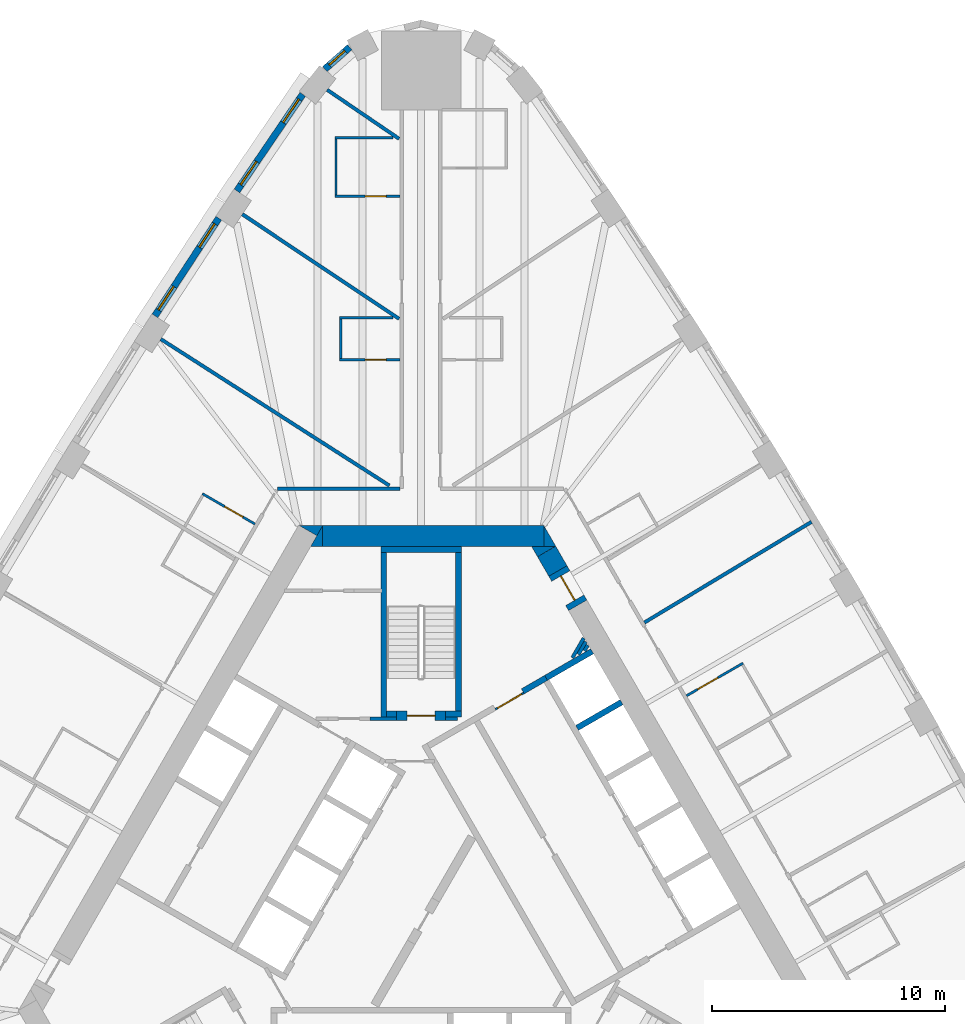
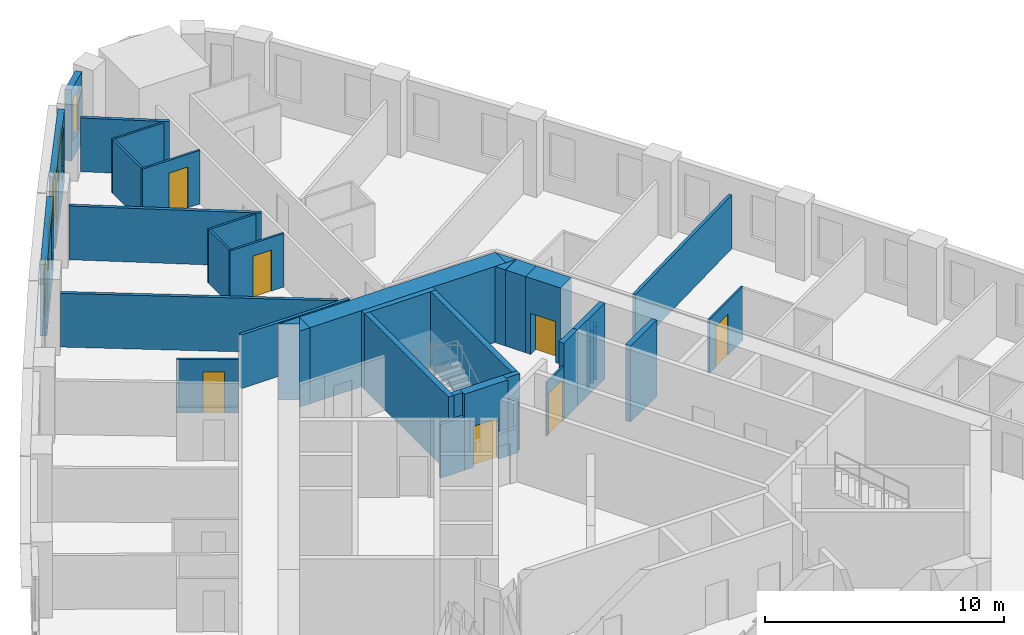
# One storey, part 10 of 13: 38 walls, 7 doors, 5 windows, 12 openings.
"""IFC4 building model written with IfcOpenShell, lengths in metres."""

from ifc_helpers import new_model, si_unit, direction, frame, frame_2d, origin, place, context, subcontext, project, spatial, polyline, rectangle, outline, extrude, material, layer, layer_set, type_object, element, fill, save


model = new_model("IFC4")

# Units and contexts
model_context = context("Model", 3, precision=1e-05, world=origin(), true_north=direction((0.0, 1.0)))
body_context = subcontext(model_context, "Body", "Model", "MODEL_VIEW")
ifc_project = project(units=[si_unit("LENGTHUNIT", "METRE"), si_unit("AREAUNIT", "SQUARE_METRE"), si_unit("VOLUMEUNIT", "CUBIC_METRE"), si_unit("PLANEANGLEUNIT", "RADIAN"), si_unit("MASSUNIT", "GRAM", prefix="KILO")], contexts=[model_context])

# Site, building, storey
site_placement = place(None, origin())
site = spatial("IfcSite", under=ifc_project, at=site_placement, CompositionType="ELEMENT")
building_placement = place(site_placement, origin())
building = spatial("IfcBuilding", under=site, at=building_placement, Name="Mestral Congress Tower", CompositionType="ELEMENT")
storey_placement = place(building_placement, frame((0.0, 0.0, 31.5)))
storey = spatial("IfcBuildingStorey", under=building, at=storey_placement, Name="L06", CompositionType="ELEMENT", Elevation=31.5)

# Walls
ifc_material_1 = material(Name="Fire-rated board partition")
ifc_layer_1 = layer(ifc_material_1, 0.14990234375)
ifc_layer_set_1 = layer_set([ifc_layer_1], Name="Fire-rated board partition")
wall_type_1 = type_object("IfcWallType", Name="Core partition 150", PredefinedType="PARTITIONING", material=ifc_layer_set_1)
wall_1_placement = place(storey_placement, frame((-2.1962890625, 8.62548828125, 0.0), z_axis=(0.0, 0.0, 1.0), x_axis=(1.0, 0.0, 0.0)))
element("IfcWall", 1, at=wall_1_placement, inside=storey, type_object=wall_type_1, Name="L06 core wall", PredefinedType="PARTITIONING", context=body_context, shape_type="SweptSolid", body=[
    extrude(rectangle(XDim=1.146240234375, YDim=0.14990234375, at=frame_2d((0.5732421875, 0.0))), origin(), (0.0, 0.0, 1.0), 2.75),
])
wall_2_placement = place(storey_placement, frame((1.050048828125, 8.62548828125, 0.0), z_axis=(0.0, 0.0, 1.0), x_axis=(1.0, 0.0, 0.0)))
element("IfcWall", 2, at=wall_2_placement, inside=storey, type_object=wall_type_1, Name="L06 core wall", PredefinedType="PARTITIONING", context=body_context, shape_type="SweptSolid", body=[
    extrude(rectangle(XDim=0.513916015625, YDim=0.14990234375, at=frame_2d((0.2568359375, 0.0))), origin(), (0.0, 0.0, 1.0), 2.75),
])
wall_3_placement = place(storey_placement, frame((6.481689453125, 11.224609375, 0.0), z_axis=(0.0, 0.0, 1.0), x_axis=(0.5001061818, 0.865964091014, 0.0)))
element("IfcWall", 3, at=wall_3_placement, inside=storey, type_object=wall_type_1, Name="L06 core wall", PredefinedType="PARTITIONING", context=body_context, shape_type="SweptSolid", body=[
    extrude(rectangle(XDim=0.972900390625, YDim=0.14990234375, at=frame_2d((0.486328125, 0.0))), origin(), (0.0, 0.0, 1.0), 2.75),
])
wall_4_placement = place(storey_placement, frame((6.74169921875, 11.374755859375, 0.0), z_axis=(0.0, 0.0, 1.0), x_axis=(0.499744951064, 0.86617260629, 0.0)))
element("IfcWall", 4, at=wall_4_placement, inside=storey, type_object=wall_type_1, Name="L06 core wall", PredefinedType="PARTITIONING", context=body_context, shape_type="SweptSolid", body=[
    extrude(rectangle(XDim=0.626220703125, YDim=0.14990234375, at=frame_2d((0.31298828125, 0.0))), origin(), (0.0, 0.0, 1.0), 2.75),
])
wall_5_placement = place(storey_placement, frame((7.00146484375, 11.524658203125, 0.0), z_axis=(0.0, 0.0, 1.0), x_axis=(0.499797962495, 0.866142018774, 0.0)))
element("IfcWall", 5, at=wall_5_placement, inside=storey, type_object=wall_type_1, Name="L06 core wall", PredefinedType="PARTITIONING", context=body_context, shape_type="SweptSolid", body=[
    extrude(rectangle(XDim=0.27978515625, YDim=0.14990234375, at=frame_2d((0.139892578125, 0.0))), origin(), (0.0, 0.0, 1.0), 2.75),
])

# Wall, opening, door
ifc_layer_2 = layer(ifc_material_1, 0.090087890625)
ifc_layer_set_2 = layer_set([ifc_layer_2], Name="Fire-rated board partition")
wall_type_2 = type_object("IfcWallType", Name="Core partition 150 door-wall 90", PredefinedType="PARTITIONING", material=ifc_layer_set_2)
wall_6_placement = place(storey_placement, frame((3.182861328125, 9.02001953125, 0.0), z_axis=(0.0, 0.0, 1.0), x_axis=(0.866034573852, 0.49998411664, 0.0)))
wall_6 = element("IfcWall", 6, at=wall_6_placement, inside=storey, type_object=wall_type_2, Name="L06 door wall", PredefinedType="PARTITIONING", context=body_context, shape_type="SweptSolid", body=[
    extrude(rectangle(XDim=1.39990234375, YDim=0.090087890625, at=frame_2d((0.699951171875, 0.0))), origin(), (0.0, 0.0, 1.0), 2.75),
])
opening_1_placement = place(wall_6_placement, frame((0.10009765625, 0.0, 0.0)))
opening_1 = element("IfcOpeningElement", 7, at=opening_1_placement, cuts=wall_6, Name="Opening LB1-WL2", PredefinedType="OPENING", context=body_context, shape_type="SweptSolid", body=[
    extrude(rectangle(XDim=1.199951171875, YDim=2.10009765625, at=frame_2d((0.60009765625, 1.050048828125))), frame((0.0, 0.054931640625, 0.0), z_axis=(0.0, -1.0, 0.0), x_axis=(1.0, 0.0, 0.0)), (0.0, 0.0, 1.0), 0.110107421875),
])
ifc_material_2 = material(Name="Fire-rated steel door set", Category="steel")
door_type_1 = type_object("IfcDoorType", Name="Core door LB 1200x2100", OperationType="SINGLE_SWING_LEFT", PredefinedType="DOOR", material=ifc_material_2)
door_1_placement = place(opening_1_placement, origin())
door_1 = element("IfcDoor", 8, at=door_1_placement, inside=storey, type_object=door_type_1, Name="Door LB1-WL2", OperationType="SINGLE_SWING_LEFT", OverallHeight=2.10009765625, OverallWidth=1.199951171875, PredefinedType="DOOR", context=body_context, shape_type="SweptSolid", body=[
    extrude(rectangle(XDim=1.199951171875, YDim=2.10009765625, at=frame_2d((0.60009765625, 1.050048828125))), frame((0.0, 0.02490234375, 0.0), z_axis=(0.0, -1.0, 0.0), x_axis=(1.0, 0.0, 0.0)), (0.0, 0.0, 1.0), 0.050048828125),
])
fill(opening_1, door_1)

# Walls
ifc_material_3 = material(Name="Concrete C60/75", Category="concrete")
ifc_layer_3 = layer(ifc_material_3, 0.89990234375)
ifc_layer_set_3 = layer_set([ifc_layer_3], Name="Concrete C60/75")
wall_type_3 = type_object("IfcWallType", Name="Core wall RC 900", PredefinedType="SOLIDWALL", material=ifc_layer_set_3)
placement = place(storey_placement, origin())
element("IfcWall", 9, at=placement, inside=storey, type_object=wall_type_3, Name="L06 core wall", PredefinedType="SOLIDWALL", context=body_context, shape_type="SweptSolid", body=[
    extrude(outline(polyline([(-4.214599609375, 16.89990234375), (-4.46875, 16.460205078125), (-5.230712890625, 16.89990234375), (-4.214599609375, 16.89990234375)])), origin(), (0.0, 0.0, 1.0), 3.89990234375),
])
wall_8_placement = place(storey_placement, frame((-4.224365234375, 16.449951171875, 0.0), z_axis=(0.0, 0.0, 1.0), x_axis=(1.0, 0.0, 0.0)))
element("IfcWall", 10, at=wall_8_placement, inside=storey, type_object=wall_type_3, Name="L06 core wall", PredefinedType="SOLIDWALL", context=body_context, shape_type="SweptSolid", body=[
    extrude(rectangle(XDim=9.48779296875, YDim=0.89990234375, at=frame_2d((4.743896484375, 0.0))), origin(), (0.0, 0.0, 1.0), 3.89990234375),
])
element("IfcWall", 11, at=placement, inside=storey, type_object=wall_type_3, Name="L06 core wall", PredefinedType="SOLIDWALL", context=body_context, shape_type="SweptSolid", body=[
    extrude(outline(polyline([(5.265380859375, 16.0), (5.265380859375, 16.8798828125), (5.7734375, 16.0), (5.265380859375, 16.0)])), origin(), (0.0, 0.0, 1.0), 3.89990234375),
])
element("IfcWall", 12, at=placement, inside=storey, type_object=wall_type_3, Name="L06 core wall", PredefinedType="SOLIDWALL", context=body_context, shape_type="SweptSolid", body=[
    extrude(outline(polyline([(-4.734375, 16.0), (-4.226318359375, 16.8798828125), (-4.226318359375, 16.0), (-4.734375, 16.0)])), origin(), (0.0, 0.0, 1.0), 3.89990234375),
])
wall_11_placement = place(storey_placement, frame((5.86083984375, 14.94873046875, 0.0), z_axis=(0.0, 0.0, 1.0), x_axis=(-0.50011719232, 0.865957732194, 0.0)))
element("IfcWall", 13, at=wall_11_placement, inside=storey, type_object=wall_type_3, Name="L06 core wall", PredefinedType="SOLIDWALL", context=body_context, shape_type="SweptSolid", body=[
    extrude(rectangle(XDim=0.963623046875, YDim=0.89990234375, at=frame_2d((0.48193359375, 0.0))), origin(), (0.0, 0.0, 1.0), 3.89990234375),
])
element("IfcWall", 14, at=placement, inside=storey, type_object=wall_type_3, Name="L06 core wall", PredefinedType="SOLIDWALL", context=body_context, shape_type="SweptSolid", body=[
    extrude(outline(polyline([(4.734375, 16.0), (5.75048828125, 16.0), (4.98828125, 15.56005859375), (4.734375, 16.0)])), origin(), (0.0, 0.0, 1.0), 3.89990234375),
])

# Wall, opening, door
wall_13_placement = place(storey_placement, frame((5.86083984375, 14.948486328125, 0.0), z_axis=(0.0, 0.0, 1.0), x_axis=(0.500062241894, -0.865989465428, 0.0)))
wall_13 = element("IfcWall", 15, at=wall_13_placement, inside=storey, type_object=wall_type_3, Name="L06 door wall", PredefinedType="SOLIDWALL", context=body_context, shape_type="SweptSolid", body=[
    extrude(rectangle(XDim=1.699951171875, YDim=0.89990234375, at=frame_2d((0.85009765625, 0.0))), origin(), (0.0, 0.0, 1.0), 3.89990234375),
])
opening_2_placement = place(wall_13_placement, frame((0.25, 0.0, 0.0)))
opening_2 = element("IfcOpeningElement", 16, at=opening_2_placement, cuts=wall_13, Name="Opening XD2", PredefinedType="OPENING", context=body_context, shape_type="SweptSolid", body=[
    extrude(rectangle(XDim=1.199951171875, YDim=2.10009765625, at=frame_2d((0.60009765625, 1.050048828125))), frame((0.0, 0.4599609375, 0.0), z_axis=(0.0, -1.0, 0.0), x_axis=(1.0, 0.0, 0.0)), (0.0, 0.0, 1.0), 0.919921875),
])
door_type_2 = type_object("IfcDoorType", Name="Core door XD 1200x2100", OperationType="SINGLE_SWING_LEFT", PredefinedType="DOOR", material=ifc_material_2)
door_2_placement = place(opening_2_placement, origin())
door_2 = element("IfcDoor", 17, at=door_2_placement, inside=storey, type_object=door_type_2, Name="Door XD2", OperationType="SINGLE_SWING_LEFT", OverallHeight=2.10009765625, OverallWidth=1.199951171875, PredefinedType="DOOR", context=body_context, shape_type="SweptSolid", body=[
    extrude(rectangle(XDim=1.199951171875, YDim=2.10009765625, at=frame_2d((0.60009765625, 1.050048828125))), frame((0.0, 0.02490234375, 0.0), z_axis=(0.0, -1.0, 0.0), x_axis=(1.0, 0.0, 0.0)), (0.0, 0.0, 1.0), 0.050048828125),
])
fill(opening_2, door_2)

# Wall, opening, window
ifc_material_4 = material(Name="Precast concrete C40/50 with limestone facing", Category="masonry")
ifc_layer_4 = layer(ifc_material_4, 0.2900390625)
ifc_layer_set_4 = layer_set([ifc_layer_4], Name="Precast concrete C40/50 with limestone facing")
wall_type_4 = type_object("IfcWallType", Name="Facade stone wall 290", PredefinedType="SOLIDWALL", material=ifc_layer_set_4)
wall_14_placement = place(storey_placement, frame((-3.064453125, 37.395263671875, 0.0), z_axis=(0.0, 0.0, 1.0), x_axis=(-0.749812680302, -0.661650167731, 0.0)))
wall_14 = element("IfcWall", 18, at=wall_14_placement, inside=storey, type_object=wall_type_4, Name="Facade wall K1-3", PredefinedType="SOLIDWALL", context=body_context, shape_type="SweptSolid", body=[
    extrude(rectangle(XDim=1.4150390625, YDim=0.2900390625, at=frame_2d((0.70751953125, 0.0))), origin(), (0.0, 0.0, 1.0), 3.64990234375),
])
opening_3_placement = place(wall_14_placement, frame((0.257568359375, 0.0, 0.89990234375)))
opening_3 = element("IfcOpeningElement", 19, at=opening_3_placement, cuts=wall_14, Name="Opening W3", PredefinedType="OPENING", context=body_context, shape_type="SweptSolid", body=[
    extrude(rectangle(XDim=0.89990234375, YDim=2.14990234375, at=frame_2d((0.449951171875, 1.074951171875))), frame((0.0, 0.155029296875, 0.0), z_axis=(0.0, -1.0, 0.0), x_axis=(1.0, 0.0, 0.0)), (0.0, 0.0, 1.0), 0.31005859375),
])
ifc_material_5 = material(Name="Clear low-emissivity double glazing", Category="glass")
window_type_1 = type_object("IfcWindowType", Name="Facade punched window 900 x 2150 sill 900", PartitioningType="SINGLE_PANEL", PredefinedType="WINDOW", material=ifc_material_5)
window_1_placement = place(opening_3_placement, origin())
window_1 = element("IfcWindow", 20, at=window_1_placement, inside=storey, type_object=window_type_1, Name="Window K1-3", OverallHeight=2.14990234375, OverallWidth=0.89990234375, PartitioningType="SINGLE_PANEL", PredefinedType="WINDOW", context=body_context, shape_type="SweptSolid", body=[
    extrude(rectangle(XDim=0.89990234375, YDim=2.14990234375, at=frame_2d((0.449951171875, 1.074951171875))), frame((0.0, 0.01513671875, 0.0), z_axis=(0.0, -1.0, 0.0), x_axis=(1.0, 0.0, 0.0)), (0.0, 0.0, 1.0), 0.06005859375),
])
fill(opening_3, window_1)

# Wall, openings, windows
wall_15_placement = place(storey_placement, frame((-5.078369140625, 35.37646484375, 0.0), z_axis=(0.0, 0.0, 1.0), x_axis=(-0.562610153679, -0.826722332454, 0.0)))
wall_15 = element("IfcWall", 21, at=wall_15_placement, inside=storey, type_object=wall_type_4, Name="Facade wall F2-00", PredefinedType="SOLIDWALL", context=body_context, shape_type="SweptSolid", body=[
    extrude(rectangle(XDim=5.005615234375, YDim=0.2900390625, at=frame_2d((2.5029296875, 0.0))), origin(), (0.0, 0.0, 1.0), 3.64990234375),
])
opening_4_placement = place(wall_15_placement, frame((0.26513671875, 0.0, 0.89990234375)))
opening_4 = element("IfcOpeningElement", 22, at=opening_4_placement, cuts=wall_15, Name="Opening W1", PredefinedType="OPENING", context=body_context, shape_type="SweptSolid", body=[
    extrude(rectangle(XDim=1.199951171875, YDim=2.14990234375, at=frame_2d((0.60009765625, 1.074951171875))), frame((0.0, 0.155029296875, 0.0), z_axis=(0.0, -1.0, 0.0), x_axis=(1.0, 0.0, 0.0)), (0.0, 0.0, 1.0), 0.31005859375),
])
opening_5_placement = place(wall_15_placement, frame((3.495361328125, 0.0, 0.89990234375)))
opening_5 = element("IfcOpeningElement", 23, at=opening_5_placement, cuts=wall_15, Name="Opening W1", PredefinedType="OPENING", context=body_context, shape_type="SweptSolid", body=[
    extrude(rectangle(XDim=1.199951171875, YDim=2.14990234375, at=frame_2d((0.60009765625, 1.074951171875))), frame((0.0, 0.155029296875, 0.0), z_axis=(0.0, -1.0, 0.0), x_axis=(1.0, 0.0, 0.0)), (0.0, 0.0, 1.0), 0.31005859375),
])
window_type_2 = type_object("IfcWindowType", Name="Facade punched window 1200 x 2150 sill 900", PartitioningType="DOUBLE_PANEL_VERTICAL", PredefinedType="WINDOW", material=ifc_material_5)
window_2_placement = place(opening_4_placement, origin())
window_2 = element("IfcWindow", 24, at=window_2_placement, inside=storey, type_object=window_type_2, Name="Window F2-00a", OverallHeight=2.14990234375, OverallWidth=1.199951171875, PartitioningType="DOUBLE_PANEL_VERTICAL", PredefinedType="WINDOW", context=body_context, shape_type="SweptSolid", body=[
    extrude(rectangle(XDim=1.199951171875, YDim=2.14990234375, at=frame_2d((0.60009765625, 1.074951171875))), frame((0.0, 0.01513671875, 0.0), z_axis=(0.0, -1.0, 0.0), x_axis=(1.0, 0.0, 0.0)), (0.0, 0.0, 1.0), 0.06005859375),
])
fill(opening_4, window_2)
window_3_placement = place(opening_5_placement, origin())
window_3 = element("IfcWindow", 25, at=window_3_placement, inside=storey, type_object=window_type_2, Name="Window F2-00b", OverallHeight=2.14990234375, OverallWidth=1.199951171875, PartitioningType="DOUBLE_PANEL_VERTICAL", PredefinedType="WINDOW", context=body_context, shape_type="SweptSolid", body=[
    extrude(rectangle(XDim=1.199951171875, YDim=2.14990234375, at=frame_2d((0.60009765625, 1.074951171875))), frame((0.0, 0.01513671875, 0.0), z_axis=(0.0, -1.0, 0.0), x_axis=(1.0, 0.0, 0.0)), (0.0, 0.0, 1.0), 0.06005859375),
])
fill(opening_5, window_3)

wall_16_placement = place(storey_placement, frame((-8.675537109375, 30.067626953125, 0.0), z_axis=(0.0, 0.0, 1.0), x_axis=(-0.547204617628, -0.836998868845, 0.0)))
wall_16 = element("IfcWall", 26, at=wall_16_placement, inside=storey, type_object=wall_type_4, Name="Facade wall F2-01", PredefinedType="SOLIDWALL", context=body_context, shape_type="SweptSolid", body=[
    extrude(rectangle(XDim=4.998291015625, YDim=0.2900390625, at=frame_2d((2.4990234375, 0.0))), origin(), (0.0, 0.0, 1.0), 3.64990234375),
])
opening_6_placement = place(wall_16_placement, frame((0.297119140625, 0.0, 0.89990234375)))
opening_6 = element("IfcOpeningElement", 27, at=opening_6_placement, cuts=wall_16, Name="Opening W1", PredefinedType="OPENING", context=body_context, shape_type="SweptSolid", body=[
    extrude(rectangle(XDim=1.199951171875, YDim=2.14990234375, at=frame_2d((0.60009765625, 1.074951171875))), frame((0.0, 0.155029296875, 0.0), z_axis=(0.0, -1.0, 0.0), x_axis=(1.0, 0.0, 0.0)), (0.0, 0.0, 1.0), 0.31005859375),
])
opening_7_placement = place(wall_16_placement, frame((3.501220703125, 0.0, 0.89990234375)))
opening_7 = element("IfcOpeningElement", 28, at=opening_7_placement, cuts=wall_16, Name="Opening W1", PredefinedType="OPENING", context=body_context, shape_type="SweptSolid", body=[
    extrude(rectangle(XDim=1.199951171875, YDim=2.14990234375, at=frame_2d((0.60009765625, 1.074951171875))), frame((0.0, 0.155029296875, 0.0), z_axis=(0.0, -1.0, 0.0), x_axis=(1.0, 0.0, 0.0)), (0.0, 0.0, 1.0), 0.31005859375),
])
window_4_placement = place(opening_6_placement, origin())
window_4 = element("IfcWindow", 29, at=window_4_placement, inside=storey, type_object=window_type_2, Name="Window F2-01a", OverallHeight=2.14990234375, OverallWidth=1.199951171875, PartitioningType="DOUBLE_PANEL_VERTICAL", PredefinedType="WINDOW", context=body_context, shape_type="SweptSolid", body=[
    extrude(rectangle(XDim=1.199951171875, YDim=2.14990234375, at=frame_2d((0.60009765625, 1.074951171875))), frame((0.0, 0.01513671875, 0.0), z_axis=(0.0, -1.0, 0.0), x_axis=(1.0, 0.0, 0.0)), (0.0, 0.0, 1.0), 0.06005859375),
])
fill(opening_6, window_4)
window_5_placement = place(opening_7_placement, origin())
window_5 = element("IfcWindow", 30, at=window_5_placement, inside=storey, type_object=window_type_2, Name="Window F2-01b", OverallHeight=2.14990234375, OverallWidth=1.199951171875, PartitioningType="DOUBLE_PANEL_VERTICAL", PredefinedType="WINDOW", context=body_context, shape_type="SweptSolid", body=[
    extrude(rectangle(XDim=1.199951171875, YDim=2.14990234375, at=frame_2d((0.60009765625, 1.074951171875))), frame((0.0, 0.01513671875, 0.0), z_axis=(0.0, -1.0, 0.0), x_axis=(1.0, 0.0, 0.0)), (0.0, 0.0, 1.0), 0.06005859375),
])
fill(opening_7, window_5)

# Wall, opening, door
ifc_material_6 = material(Name="Gypsum board partition on metal studs with mineral wool", Category="composite")
ifc_layer_5 = layer(ifc_material_6, 0.10009765625)
ifc_layer_set_5 = layer_set([ifc_layer_5], Name="Gypsum board partition on metal studs with mineral wool")
wall_type_5 = type_object("IfcWallType", Name="Hotel partition wall 100", PredefinedType="PARTITIONING", material=ifc_layer_set_5)
wall_17_placement = place(storey_placement, frame((13.79931640625, 10.9990234375, 0.0), z_axis=(0.0, 0.0, 1.0), x_axis=(-0.866034573852, -0.49998411664, 0.0)))
wall_17 = element("IfcWall", 31, at=wall_17_placement, inside=storey, type_object=wall_type_5, Name="L06-h-pod16a", PredefinedType="PARTITIONING", context=body_context, shape_type="SweptSolid", body=[
    extrude(rectangle(XDim=2.7998046875, YDim=0.10009765625, at=frame_2d((1.39990234375, 0.0))), origin(), (0.0, 0.0, 1.0), 2.75),
])
opening_8_placement = place(wall_17_placement, frame((1.25, 0.0, 0.0)))
opening_8 = element("IfcOpeningElement", 32, at=opening_8_placement, cuts=wall_17, Name="Opening H01-031", PredefinedType="OPENING", context=body_context, shape_type="SweptSolid", body=[
    extrude(rectangle(XDim=1.0, YDim=2.10009765625, at=frame_2d((0.5, 1.050048828125))), frame((0.0, 0.06005859375, 0.0), z_axis=(0.0, -1.0, 0.0), x_axis=(1.0, 0.0, 0.0)), (0.0, 0.0, 1.0), 0.1201171875),
])
ifc_material_7 = material(Name="Timber veneer door leaf in timber frame", Category="wood")
door_type_3 = type_object("IfcDoorType", Name="Accessible bathroom door 1000", OperationType="SINGLE_SWING_LEFT", PredefinedType="DOOR", material=ifc_material_7)
door_3_placement = place(opening_8_placement, origin())
door_3 = element("IfcDoor", 33, at=door_3_placement, inside=storey, type_object=door_type_3, Name="L06-h-d031", OperationType="SINGLE_SWING_LEFT", OverallHeight=2.10009765625, OverallWidth=1.0, PredefinedType="DOOR", context=body_context, shape_type="SweptSolid", body=[
    extrude(rectangle(XDim=1.0, YDim=2.10009765625, at=frame_2d((0.5, 1.050048828125))), frame((0.0, 0.02490234375, 0.0), z_axis=(0.0, -1.0, 0.0), x_axis=(1.0, 0.0, 0.0)), (0.0, 0.0, 1.0), 0.050048828125),
])
fill(opening_8, door_3)

wall_18_placement = place(storey_placement, frame((-3.699951171875, 31.008544921875, 0.0), z_axis=(0.0, 0.0, 1.0), x_axis=(1.0, 0.0, 0.0)))
wall_18 = element("IfcWall", 34, at=wall_18_placement, inside=storey, type_object=wall_type_5, Name="L06-h-pod21a", PredefinedType="PARTITIONING", context=body_context, shape_type="SweptSolid", body=[
    extrude(rectangle(XDim=2.800048828125, YDim=0.10009765625, at=frame_2d((1.39990234375, 0.0))), origin(), (0.0, 0.0, 1.0), 2.75),
])
opening_9_placement = place(wall_18_placement, frame((1.300048828125, 0.0, 0.0)))
opening_9 = element("IfcOpeningElement", 35, at=opening_9_placement, cuts=wall_18, Name="Opening H01-040", PredefinedType="OPENING", context=body_context, shape_type="SweptSolid", body=[
    extrude(rectangle(XDim=0.89990234375, YDim=2.10009765625, at=frame_2d((0.449951171875, 1.050048828125))), frame((0.0, 0.06005859375, 0.0), z_axis=(0.0, -1.0, 0.0), x_axis=(1.0, 0.0, 0.0)), (0.0, 0.0, 1.0), 0.1201171875),
])
door_type_4 = type_object("IfcDoorType", Name="Bathroom door 900", OperationType="SINGLE_SWING_LEFT", PredefinedType="DOOR", material=ifc_material_7)
door_4_placement = place(opening_9_placement, origin())
door_4 = element("IfcDoor", 36, at=door_4_placement, inside=storey, type_object=door_type_4, Name="L06-h-d040", OperationType="SINGLE_SWING_RIGHT", OverallHeight=2.10009765625, OverallWidth=0.89990234375, PredefinedType="DOOR", context=body_context, shape_type="SweptSolid", body=[
    extrude(rectangle(XDim=0.89990234375, YDim=2.10009765625, at=frame_2d((0.449951171875, 1.050048828125))), frame((0.0, 0.02490234375, 0.0), z_axis=(0.0, -1.0, 0.0), x_axis=(1.0, 0.0, 0.0)), (0.0, 0.0, 1.0), 0.050048828125),
])
fill(opening_9, door_4)

# Walls
wall_19_placement = place(storey_placement, frame((-3.64990234375, 31.05859375, 0.0), z_axis=(0.0, 0.0, 1.0), x_axis=(0.0, 1.0, 0.0)))
element("IfcWall", 37, at=wall_19_placement, inside=storey, type_object=wall_type_5, Name="L06-h-pod21b", PredefinedType="PARTITIONING", context=body_context, shape_type="SweptSolid", body=[
    extrude(rectangle(XDim=2.39990234375, YDim=0.10009765625, at=frame_2d((1.199951171875, 0.0))), origin(), (0.0, 0.0, 1.0), 2.75),
])
wall_20_placement = place(storey_placement, frame((-1.199951171875, 33.508544921875, 0.0), z_axis=(0.0, 0.0, 1.0), x_axis=(-1.0, 0.0, 0.0)))
element("IfcWall", 38, at=wall_20_placement, inside=storey, type_object=wall_type_5, Name="L06-h-pod21c", PredefinedType="PARTITIONING", context=body_context, shape_type="SweptSolid", body=[
    extrude(rectangle(XDim=2.5, YDim=0.10009765625, at=frame_2d((1.25, 0.0))), origin(), (0.0, 0.0, 1.0), 2.75),
])

# Wall, opening, door
wall_21_placement = place(storey_placement, frame((-3.5, 23.99462890625, 0.0), z_axis=(0.0, 0.0, 1.0), x_axis=(1.0, 0.0, 0.0)))
wall_21 = element("IfcWall", 39, at=wall_21_placement, inside=storey, type_object=wall_type_5, Name="L06-h-pod22a", PredefinedType="PARTITIONING", context=body_context, shape_type="SweptSolid", body=[
    extrude(rectangle(XDim=2.60009765625, YDim=0.10009765625, at=frame_2d((1.300048828125, 0.0))), origin(), (0.0, 0.0, 1.0), 2.75),
])
opening_10_placement = place(wall_21_placement, frame((1.10009765625, 0.0, 0.0)))
opening_10 = element("IfcOpeningElement", 40, at=opening_10_placement, cuts=wall_21, Name="Opening H01-042", PredefinedType="OPENING", context=body_context, shape_type="SweptSolid", body=[
    extrude(rectangle(XDim=0.89990234375, YDim=2.10009765625, at=frame_2d((0.449951171875, 1.050048828125))), frame((0.0, 0.06005859375, 0.0), z_axis=(0.0, -1.0, 0.0), x_axis=(1.0, 0.0, 0.0)), (0.0, 0.0, 1.0), 0.1201171875),
])
door_5_placement = place(opening_10_placement, origin())
door_5 = element("IfcDoor", 41, at=door_5_placement, inside=storey, type_object=door_type_4, Name="L06-h-d042", OperationType="SINGLE_SWING_LEFT", OverallHeight=2.10009765625, OverallWidth=0.89990234375, PredefinedType="DOOR", context=body_context, shape_type="SweptSolid", body=[
    extrude(rectangle(XDim=0.89990234375, YDim=2.10009765625, at=frame_2d((0.449951171875, 1.050048828125))), frame((0.0, 0.02490234375, 0.0), z_axis=(0.0, -1.0, 0.0), x_axis=(1.0, 0.0, 0.0)), (0.0, 0.0, 1.0), 0.050048828125),
])
fill(opening_10, door_5)

# Walls
wall_22_placement = place(storey_placement, frame((-3.449951171875, 24.044677734375, 0.0), z_axis=(0.0, 0.0, 1.0), x_axis=(0.0, 1.0, 0.0)))
element("IfcWall", 42, at=wall_22_placement, inside=storey, type_object=wall_type_5, Name="L06-h-pod22b", PredefinedType="PARTITIONING", context=body_context, shape_type="SweptSolid", body=[
    extrude(rectangle(XDim=1.699951171875, YDim=0.10009765625, at=frame_2d((0.85009765625, 0.0))), origin(), (0.0, 0.0, 1.0), 2.75),
])
wall_23_placement = place(storey_placement, frame((-1.2099609375, 25.794677734375, 0.0), z_axis=(0.0, 0.0, 1.0), x_axis=(-1.0, 0.0, 0.0)))
element("IfcWall", 43, at=wall_23_placement, inside=storey, type_object=wall_type_5, Name="L06-h-pod22c", PredefinedType="PARTITIONING", context=body_context, shape_type="SweptSolid", body=[
    extrude(rectangle(XDim=2.2900390625, YDim=0.10009765625, at=frame_2d((1.14501953125, 0.0))), origin(), (0.0, 0.0, 1.0), 2.75),
])

# Wall, opening, door
wall_24_placement = place(storey_placement, frame((-7.123779296875, 16.961181640625, 0.0), z_axis=(0.0, 0.0, 1.0), x_axis=(-0.866021400173, 0.500006934395, 0.0)))
wall_24 = element("IfcWall", 44, at=wall_24_placement, inside=storey, type_object=wall_type_5, Name="L06-h-pod23a", PredefinedType="PARTITIONING", context=body_context, shape_type="SweptSolid", body=[
    extrude(rectangle(XDim=2.60009765625, YDim=0.10009765625, at=frame_2d((1.300048828125, 0.0))), origin(), (0.0, 0.0, 1.0), 2.75),
])
opening_11_placement = place(wall_24_placement, frame((0.60009765625, 0.0, 0.0)))
opening_11 = element("IfcOpeningElement", 45, at=opening_11_placement, cuts=wall_24, Name="Opening H01-044", PredefinedType="OPENING", context=body_context, shape_type="SweptSolid", body=[
    extrude(rectangle(XDim=0.89990234375, YDim=2.10009765625, at=frame_2d((0.449951171875, 1.050048828125))), frame((0.0, 0.06005859375, 0.0), z_axis=(0.0, -1.0, 0.0), x_axis=(1.0, 0.0, 0.0)), (0.0, 0.0, 1.0), 0.1201171875),
])
door_6_placement = place(opening_11_placement, origin())
door_6 = element("IfcDoor", 46, at=door_6_placement, inside=storey, type_object=door_type_4, Name="L06-h-d044", OperationType="SINGLE_SWING_LEFT", OverallHeight=2.10009765625, OverallWidth=0.89990234375, PredefinedType="DOOR", context=body_context, shape_type="SweptSolid", body=[
    extrude(rectangle(XDim=0.89990234375, YDim=2.10009765625, at=frame_2d((0.449951171875, 1.050048828125))), frame((0.0, 0.02490234375, 0.0), z_axis=(0.0, -1.0, 0.0), x_axis=(1.0, 0.0, 0.0)), (0.0, 0.0, 1.0), 0.050048828125),
])
fill(opening_11, door_6)

# Walls
ifc_layer_6 = layer(ifc_material_6, 0.14990234375)
ifc_layer_set_6 = layer_set([ifc_layer_6], Name="Gypsum board partition on metal studs with mineral wool")
wall_type_6 = type_object("IfcWallType", Name="Hotel partition wall 150", PredefinedType="PARTITIONING", material=ifc_layer_set_6)
wall_25_placement = place(storey_placement, frame((-6.1630859375, 18.47509765625, 0.0), z_axis=(0.0, 0.0, 1.0), x_axis=(1.0, 0.0, 0.0)))
element("IfcWall", 47, at=wall_25_placement, inside=storey, type_object=wall_type_6, Name="L06-h-cw07", PredefinedType="PARTITIONING", context=body_context, shape_type="SweptSolid", body=[
    extrude(rectangle(XDim=5.258056640625, YDim=0.14990234375, at=frame_2d((2.62890625, 0.0))), origin(), (0.0, 0.0, 1.0), 2.75),
])
wall_26_placement = place(storey_placement, frame((-11.16015625, 24.887939453125, 0.0), z_axis=(0.0, 0.0, 1.0), x_axis=(0.84199813156, -0.539480441211, 0.0)))
element("IfcWall", 48, at=wall_26_placement, inside=storey, type_object=wall_type_6, Name="L06-h-pw13", PredefinedType="PARTITIONING", context=body_context, shape_type="SweptSolid", body=[
    extrude(rectangle(XDim=11.63818359375, YDim=0.14990234375, at=frame_2d((5.819091796875, 0.0))), origin(), (0.0, 0.0, 1.0), 2.75),
])
wall_27_placement = place(storey_placement, frame((-7.662353515625, 30.237548828125, 0.0), z_axis=(0.0, 0.0, 1.0), x_axis=(0.831882886825, -0.554951225431, 0.0)))
element("IfcWall", 49, at=wall_27_placement, inside=storey, type_object=wall_type_6, Name="L06-h-pw14", PredefinedType="PARTITIONING", context=body_context, shape_type="SweptSolid", body=[
    extrude(rectangle(XDim=8.078857421875, YDim=0.14990234375, at=frame_2d((4.03955078125, 0.0))), origin(), (0.0, 0.0, 1.0), 2.75),
])
wall_28_placement = place(storey_placement, frame((-4.02783203125, 35.56884765625, 0.0), z_axis=(0.0, 0.0, 1.0), x_axis=(0.826730622998, -0.562597971021, 0.0)))
element("IfcWall", 50, at=wall_28_placement, inside=storey, type_object=wall_type_6, Name="L06-h-pw15", PredefinedType="PARTITIONING", context=body_context, shape_type="SweptSolid", body=[
    extrude(rectangle(XDim=3.7333984375, YDim=0.14990234375, at=frame_2d((1.86669921875, 0.0))), origin(), (0.0, 0.0, 1.0), 2.75),
])
wall_29_placement = place(storey_placement, frame((16.7294921875, 17.051513671875, 0.0), z_axis=(0.0, 0.0, 1.0), x_axis=(-0.856630606266, -0.515930232113, 0.0)))
element("IfcWall", 51, at=wall_29_placement, inside=storey, type_object=wall_type_6, Name="L06-h-pw21", PredefinedType="PARTITIONING", context=body_context, shape_type="SweptSolid", body=[
    extrude(rectangle(XDim=8.35546875, YDim=0.14990234375, at=frame_2d((4.177734375, 0.0))), origin(), (0.0, 0.0, 1.0), 2.75),
])
ifc_layer_7 = layer(ifc_material_3, 0.25)
ifc_layer_set_7 = layer_set([ifc_layer_7], Name="Concrete C60/75")
wall_type_7 = type_object("IfcWallType", Name="Shaft wall RC 250", PredefinedType="SOLIDWALL", material=ifc_layer_set_7)
wall_30_placement = place(storey_placement, frame((4.3583984375, 9.791015625, 0.0), z_axis=(0.0, 0.0, 1.0), x_axis=(0.866079547155, 0.499906209203, 0.0)))
element("IfcWall", 52, at=wall_30_placement, inside=storey, type_object=wall_type_7, Name="L06 core wall", PredefinedType="SOLIDWALL", context=body_context, shape_type="SweptSolid", body=[
    extrude(rectangle(XDim=1.150146484375, YDim=0.25, at=frame_2d((0.5751953125, 0.0))), origin(), (0.0, 0.0, 1.0), 3.89990234375),
])
wall_31_placement = place(storey_placement, frame((5.356201171875, 10.366943359375, 0.0), z_axis=(0.0, 0.0, 1.0), x_axis=(0.865978535641, 0.50008116922, 0.0)))
element("IfcWall", 53, at=wall_31_placement, inside=storey, type_object=wall_type_7, Name="L06 core wall", PredefinedType="SOLIDWALL", context=body_context, shape_type="SweptSolid", body=[
    extrude(rectangle(XDim=2.27783203125, YDim=0.25, at=frame_2d((1.138916015625, 0.0))), origin(), (0.0, 0.0, 1.0), 3.89990234375),
])
wall_32_placement = place(storey_placement, frame((6.68359375, 8.2236328125, 0.0), z_axis=(0.0, 0.0, 1.0), x_axis=(0.86605622881, 0.499946605688, 0.0)))
element("IfcWall", 54, at=wall_32_placement, inside=storey, type_object=wall_type_7, Name="L06 core wall", PredefinedType="SOLIDWALL", context=body_context, shape_type="SweptSolid", body=[
    extrude(rectangle(XDim=2.199951171875, YDim=0.25, at=frame_2d((1.10009765625, 0.0))), origin(), (0.0, 0.0, 1.0), 3.89990234375),
])
ifc_layer_8 = layer(ifc_material_3, 0.25)
ifc_layer_set_8 = layer_set([ifc_layer_8], Name="Concrete C60/75")
wall_type_8 = type_object("IfcWallType", Name="Stair wall RC 250", PredefinedType="SOLIDWALL", material=ifc_layer_set_8)
wall_33_placement = place(storey_placement, frame((-1.72509765625, 15.875, 0.0), z_axis=(0.0, 0.0, 1.0), x_axis=(1.0, 0.0, 0.0)))
element("IfcWall", 55, at=wall_33_placement, inside=storey, type_object=wall_type_8, Name="L06 core wall", PredefinedType="SOLIDWALL", context=body_context, shape_type="SweptSolid", body=[
    extrude(rectangle(XDim=3.4501953125, YDim=0.25, at=frame_2d((1.72509765625, 0.0))), origin(), (0.0, 0.0, 1.0), 3.89990234375),
])
wall_34_placement = place(storey_placement, frame((1.60009765625, 8.949951171875, 0.0), z_axis=(0.0, 0.0, 1.0), x_axis=(0.0, 1.0, 0.0)))
element("IfcWall", 56, at=wall_34_placement, inside=storey, type_object=wall_type_8, Name="L06 core wall", PredefinedType="SOLIDWALL", context=body_context, shape_type="SweptSolid", body=[
    extrude(rectangle(XDim=6.800048828125, YDim=0.25, at=frame_2d((3.39990234375, 0.0))), origin(), (0.0, 0.0, 1.0), 3.89990234375),
])
wall_35_placement = place(storey_placement, frame((1.050048828125, 8.824951171875, 0.0), z_axis=(0.0, 0.0, 1.0), x_axis=(1.0, 0.0, 0.0)))
element("IfcWall", 57, at=wall_35_placement, inside=storey, type_object=wall_type_8, Name="L06 core wall", PredefinedType="SOLIDWALL", context=body_context, shape_type="SweptSolid", body=[
    extrude(rectangle(XDim=0.675048828125, YDim=0.25, at=frame_2d((0.33740234375, 0.0))), origin(), (0.0, 0.0, 1.0), 3.89990234375),
])
wall_36_placement = place(storey_placement, frame((-1.60009765625, 8.699951171875, 0.0), z_axis=(0.0, 0.0, 1.0), x_axis=(0.0, 1.0, 0.0)))
element("IfcWall", 58, at=wall_36_placement, inside=storey, type_object=wall_type_8, Name="L06 core wall", PredefinedType="SOLIDWALL", context=body_context, shape_type="SweptSolid", body=[
    extrude(rectangle(XDim=7.050048828125, YDim=0.25, at=frame_2d((3.52490234375, 0.0))), origin(), (0.0, 0.0, 1.0), 3.89990234375),
])
wall_37_placement = place(storey_placement, frame((-1.47509765625, 8.824951171875, 0.0), z_axis=(0.0, 0.0, 1.0), x_axis=(1.0, 0.0, 0.0)))
element("IfcWall", 59, at=wall_37_placement, inside=storey, type_object=wall_type_8, Name="L06 core wall", PredefinedType="SOLIDWALL", context=body_context, shape_type="SweptSolid", body=[
    extrude(rectangle(XDim=0.425048828125, YDim=0.25, at=frame_2d((0.21240234375, 0.0))), origin(), (0.0, 0.0, 1.0), 3.89990234375),
])

# Wall, opening, door
ifc_layer_9 = layer(ifc_material_3, 0.39990234375)
ifc_layer_set_9 = layer_set([ifc_layer_9], Name="Concrete C60/75")
wall_type_9 = type_object("IfcWallType", Name="Stair wall RC 250 door-wall 400", PredefinedType="SOLIDWALL", material=ifc_layer_set_9)
wall_38_placement = place(storey_placement, frame((1.050048828125, 8.75, 0.0), z_axis=(0.0, 0.0, 1.0), x_axis=(-1.0, 0.0, 0.0)))
wall_38 = element("IfcWall", 60, at=wall_38_placement, inside=storey, type_object=wall_type_9, Name="L06 door wall", PredefinedType="SOLIDWALL", context=body_context, shape_type="SweptSolid", body=[
    extrude(rectangle(XDim=2.10009765625, YDim=0.39990234375, at=frame_2d((1.050048828125, 0.0))), origin(), (0.0, 0.0, 1.0), 3.89990234375),
])
opening_12_placement = place(wall_38_placement, frame((0.449951171875, 0.0, 0.0)))
opening_12 = element("IfcOpeningElement", 61, at=opening_12_placement, cuts=wall_38, Name="Opening ST-D2", PredefinedType="OPENING", context=body_context, shape_type="SweptSolid", body=[
    extrude(rectangle(XDim=1.199951171875, YDim=2.10009765625, at=frame_2d((0.60009765625, 1.050048828125))), frame((0.0, 0.2099609375, 0.0), z_axis=(0.0, -1.0, 0.0), x_axis=(1.0, 0.0, 0.0)), (0.0, 0.0, 1.0), 0.419921875),
])
door_type_5 = type_object("IfcDoorType", Name="Core door ST 1200x2100", OperationType="SINGLE_SWING_LEFT", PredefinedType="DOOR", material=ifc_material_2)
door_7_placement = place(opening_12_placement, origin())
door_7 = element("IfcDoor", 62, at=door_7_placement, inside=storey, type_object=door_type_5, Name="Door ST-D2", OperationType="SINGLE_SWING_LEFT", OverallHeight=2.10009765625, OverallWidth=1.199951171875, PredefinedType="DOOR", context=body_context, shape_type="SweptSolid", body=[
    extrude(rectangle(XDim=1.199951171875, YDim=2.10009765625, at=frame_2d((0.60009765625, 1.050048828125))), frame((0.0, 0.02490234375, 0.0), z_axis=(0.0, -1.0, 0.0), x_axis=(1.0, 0.0, 0.0)), (0.0, 0.0, 1.0), 0.050048828125),
])
fill(opening_12, door_7)

save(model, "model.ifc")
